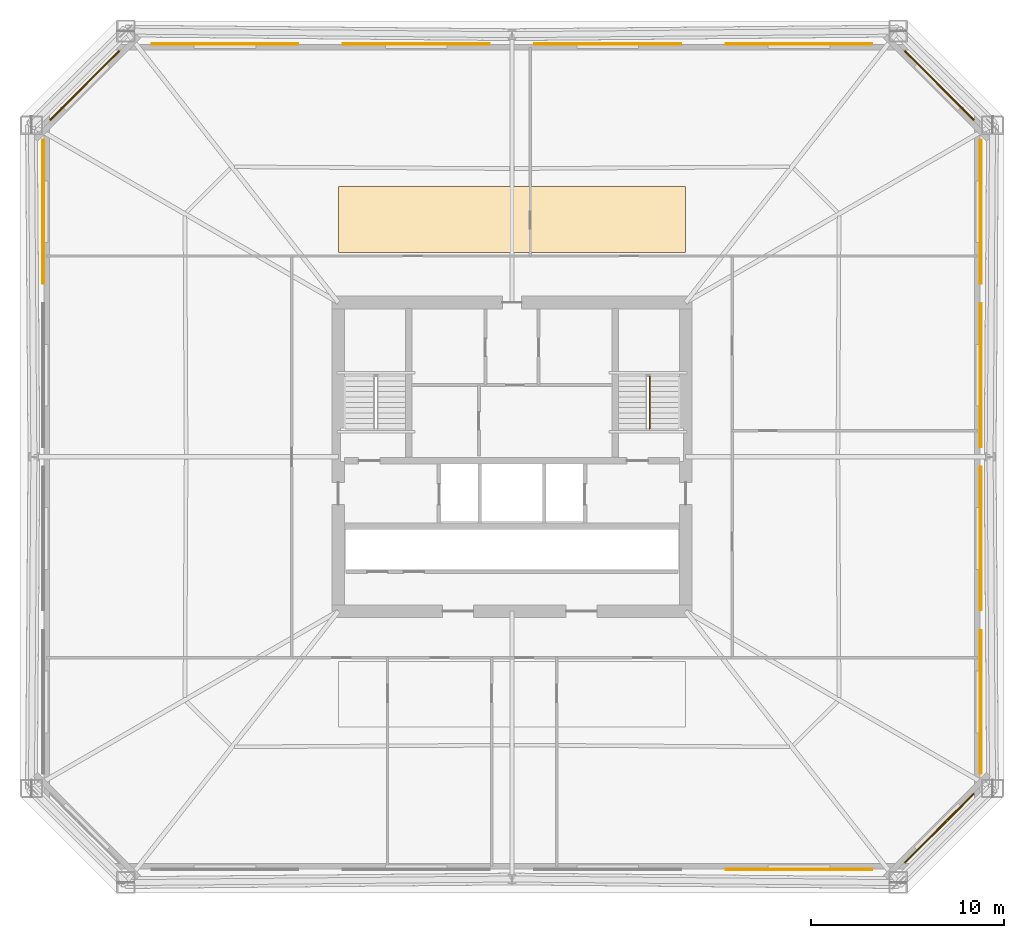
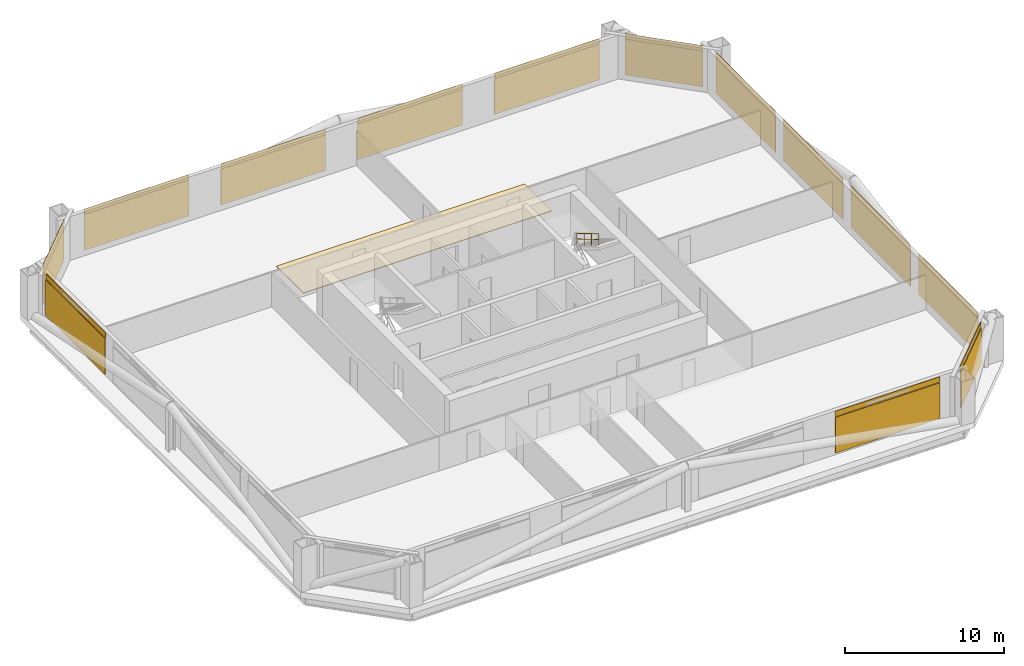
# One storey, part 8 of 8: 14 coverings, 13 shading devices, 1 railing.
"""IFC4 building model written with IfcOpenShell, lengths in metres."""

from ifc_helpers import new_model, si_unit, direction, frame, origin, origin_2d, place, context, subcontext, project, spatial, polyline, rectangle, circle, outline, extrude, material, layer, layer_set, type_object, element, save


model = new_model("IFC4")

# Units and contexts
model_context = context("Model", 3, precision=1e-05, world=origin(), true_north=direction((0.0, 1.0)))
body_context = subcontext(model_context, "Body", "Model", "MODEL_VIEW")
ifc_project = project(units=[si_unit("LENGTHUNIT", "METRE"), si_unit("AREAUNIT", "SQUARE_METRE"), si_unit("VOLUMEUNIT", "CUBIC_METRE"), si_unit("PLANEANGLEUNIT", "RADIAN"), si_unit("MASSUNIT", "GRAM", prefix="KILO")], contexts=[model_context])

# Site, building, storey
site_placement = place(None, origin())
site = spatial("IfcSite", under=ifc_project, at=site_placement, CompositionType="ELEMENT")
building_placement = place(site_placement, origin())
building = spatial("IfcBuilding", under=site, at=building_placement, Name="Caelvoria Tower", CompositionType="ELEMENT")
storey_placement = place(building_placement, frame((0.0, 0.0, 49.60009765625)))
storey = spatial("IfcBuildingStorey", under=building, at=storey_placement, Name="L12", CompositionType="ELEMENT", Elevation=49.60009765625)

# Coverings
ifc_material_1 = material(Name="Perforated Architectural Bronze Cladding Screen", Category="bronze")
ifc_layer_1 = layer(ifc_material_1, 0.0400390625, Name="Perforated Architectural Bronze Cladding Screen")
ifc_layer_set_1 = layer_set([ifc_layer_1], Name="Perforated Bronze Louvre Cladding Band 40 - Perforated Architectural Bronze Cladding Screen")
covering_type_1 = type_object("IfcCoveringType", Name="Perforated Bronze Louvre Cladding Band 40", PredefinedType="CLADDING", material=ifc_layer_set_1)
covering_1_placement = place(storey_placement, frame((60.8798828125, 10.6279296875, 2.93994140625), z_axis=(0.0, 0.0, 1.0), x_axis=(1.0, 0.0, 0.0)))
element("IfcCovering", 1, at=covering_1_placement, inside=storey, type_object=covering_type_1, Name="Perforated Bronze Screen Band L12-E0-03", PredefinedType="CLADDING", context=body_context, shape_type="SweptSolid", body=[
    extrude(rectangle(XDim=7.60009765625, YDim=0.0400390625, at=origin_2d()), origin(), (0.0, 0.0, 1.0), 0.39990234375),
])
covering_2_placement = place(storey_placement, frame((68.131591796875, 12.768310546875, 2.93994140625), z_axis=(0.0, 0.0, 1.0), x_axis=(0.707106781187, 0.707106781187, 0.0)))
element("IfcCovering", 2, at=covering_2_placement, inside=storey, type_object=covering_type_1, Name="Perforated Bronze Screen Band L12-E1-00", PredefinedType="CLADDING", context=body_context, shape_type="SweptSolid", body=[
    extrude(rectangle(XDim=5.060791015625, YDim=0.0400390625, at=origin_2d()), origin(), (0.0, 0.0, 1.0), 0.39990234375),
])
for number, where, z_axis, x_axis, name in (
    (3, (70.27197265625, 19.294921875, 2.93994140625), (0.0, 0.0, 1.0), (0.0, 1.0, 0.0), "Perforated Bronze Screen Band L12-E2-00"),
    (4, (70.27197265625, 27.764892578125, 2.93994140625), (0.0, 0.0, 1.0), (0.0, 1.0, 0.0), "Perforated Bronze Screen Band L12-E2-01"),
    (5, (70.27197265625, 36.235107421875, 2.93994140625), (0.0, 0.0, 1.0), (0.0, 1.0, 0.0), "Perforated Bronze Screen Band L12-E2-02"),
    (6, (70.27197265625, 44.705078125, 2.93994140625), (0.0, 0.0, 1.0), (0.0, 1.0, 0.0), "Perforated Bronze Screen Band L12-E2-03"),
):
    element("IfcCovering", number, at=place(storey_placement, frame(where, z_axis=z_axis, x_axis=x_axis)), inside=storey, type_object=covering_type_1, Name=name, PredefinedType="CLADDING", context=body_context, shape_type="SweptSolid", body=[
        extrude(rectangle(XDim=7.45361328125, YDim=0.0400390625, at=origin_2d()), origin(), (0.0, 0.0, 1.0), 0.39990234375),
    ])
covering_3_placement = place(storey_placement, frame((68.131591796875, 51.231689453125, 2.93994140625), z_axis=(0.0, 0.0, 1.0), x_axis=(-0.707106781187, 0.707106781187, 0.0)))
element("IfcCovering", 7, at=covering_3_placement, inside=storey, type_object=covering_type_1, Name="Perforated Bronze Screen Band L12-E3-00", PredefinedType="CLADDING", context=body_context, shape_type="SweptSolid", body=[
    extrude(rectangle(XDim=5.060791015625, YDim=0.0400390625, at=origin_2d()), origin(), (0.0, 0.0, 1.0), 0.39990234375),
])
for number, where, z_axis, x_axis, name in (
    (8, (60.8798828125, 53.3720703125, 2.93994140625), (0.0, 0.0, 1.0), (-1.0, 0.0, 0.0), "Perforated Bronze Screen Band L12-E4-00"),
    (9, (50.9599609375, 53.3720703125, 2.93994140625), (0.0, 0.0, 1.0), (-1.0, 0.0, 0.0), "Perforated Bronze Screen Band L12-E4-01"),
    (10, (41.0400390625, 53.3720703125, 2.93994140625), (0.0, 0.0, 1.0), (-1.0, 0.0, 0.0), "Perforated Bronze Screen Band L12-E4-02"),
    (11, (31.1201171875, 53.3720703125, 2.93994140625), (0.0, 0.0, 1.0), (-1.0, 0.0, 0.0), "Perforated Bronze Screen Band L12-E4-03"),
):
    element("IfcCovering", number, at=place(storey_placement, frame(where, z_axis=z_axis, x_axis=x_axis)), inside=storey, type_object=covering_type_1, Name=name, PredefinedType="CLADDING", context=body_context, shape_type="SweptSolid", body=[
        extrude(rectangle(XDim=7.60009765625, YDim=0.0400390625, at=origin_2d()), origin(), (0.0, 0.0, 1.0), 0.39990234375),
    ])
covering_4_placement = place(storey_placement, frame((23.868408203125, 51.231689453125, 2.93994140625), z_axis=(0.0, 0.0, 1.0), x_axis=(-0.707106781187, -0.707106781187, 0.0)))
element("IfcCovering", 12, at=covering_4_placement, inside=storey, type_object=covering_type_1, Name="Perforated Bronze Screen Band L12-E5-00", PredefinedType="CLADDING", context=body_context, shape_type="SweptSolid", body=[
    extrude(rectangle(XDim=5.060791015625, YDim=0.0400390625, at=origin_2d()), origin(), (0.0, 0.0, 1.0), 0.39990234375),
])
covering_5_placement = place(storey_placement, frame((21.72802734375, 44.705078125, 2.93994140625), z_axis=(0.0, 0.0, 1.0), x_axis=(0.0, -1.0, 0.0)))
element("IfcCovering", 13, at=covering_5_placement, inside=storey, type_object=covering_type_1, Name="Perforated Bronze Screen Band L12-E6-00", PredefinedType="CLADDING", context=body_context, shape_type="SweptSolid", body=[
    extrude(rectangle(XDim=7.45361328125, YDim=0.0400390625, at=origin_2d()), origin(), (0.0, 0.0, 1.0), 0.39990234375),
])

# Shading devices
ifc_material_2 = material(Name="Perforated Architectural Bronze Alloy Panel", Category="bronze")
ifc_layer_2 = layer(ifc_material_2, 0.044921875, Name="Perforated Architectural Bronze Alloy Panel")
ifc_layer_set_2 = layer_set([ifc_layer_2], Name="Perforated Bronze Solar Screen Panel SCREEN - Perforated Architectural Bronze Alloy Panel")
shading_device_type = type_object("IfcShadingDeviceType", Name="Perforated Bronze Solar Screen Panel SCREEN", PredefinedType="USERDEFINED", material=ifc_layer_set_2)
shading_device_1_placement = place(storey_placement, frame((60.8798828125, 10.5849609375, 0.159912109375), z_axis=(0.0, 0.0, 1.0), x_axis=(1.0, 0.0, 0.0)))
element("IfcShadingDevice", 14, at=shading_device_1_placement, inside=storey, type_object=shading_device_type, Name="Perforated Bronze Solar Screen L12-E0-03", ObjectType="SCREEN", PredefinedType="USERDEFINED", context=body_context, shape_type="SweptSolid", body=[
    extrude(rectangle(XDim=7.60009765625, YDim=0.044921875, at=origin_2d()), origin(), (0.0, 0.0, 1.0), 2.75),
])
shading_device_2_placement = place(storey_placement, frame((68.162109375, 12.73779296875, 0.159912109375), z_axis=(0.0, 0.0, 1.0), x_axis=(0.707106781187, 0.707106781187, 0.0)))
element("IfcShadingDevice", 15, at=shading_device_2_placement, inside=storey, type_object=shading_device_type, Name="Perforated Bronze Solar Screen L12-E1-00", ObjectType="SCREEN", PredefinedType="USERDEFINED", context=body_context, shape_type="SweptSolid", body=[
    extrude(rectangle(XDim=5.060791015625, YDim=0.044921875, at=origin_2d()), origin(), (0.0, 0.0, 1.0), 2.75),
])
for number, where, z_axis, x_axis, name in (
    (16, (70.31494140625, 19.294921875, 0.159912109375), (0.0, 0.0, 1.0), (0.0, 1.0, 0.0), "Perforated Bronze Solar Screen L12-E2-00"),
    (17, (70.31494140625, 27.764892578125, 0.159912109375), (0.0, 0.0, 1.0), (0.0, 1.0, 0.0), "Perforated Bronze Solar Screen L12-E2-01"),
    (18, (70.31494140625, 36.235107421875, 0.159912109375), (0.0, 0.0, 1.0), (0.0, 1.0, 0.0), "Perforated Bronze Solar Screen L12-E2-02"),
    (19, (70.31494140625, 44.705078125, 0.159912109375), (0.0, 0.0, 1.0), (0.0, 1.0, 0.0), "Perforated Bronze Solar Screen L12-E2-03"),
):
    element("IfcShadingDevice", number, at=place(storey_placement, frame(where, z_axis=z_axis, x_axis=x_axis)), inside=storey, type_object=shading_device_type, Name=name, ObjectType="SCREEN", PredefinedType="USERDEFINED", context=body_context, shape_type="SweptSolid", body=[
        extrude(rectangle(XDim=7.45361328125, YDim=0.044921875, at=origin_2d()), origin(), (0.0, 0.0, 1.0), 2.75),
    ])
shading_device_3_placement = place(storey_placement, frame((68.162109375, 51.26220703125, 0.159912109375), z_axis=(0.0, 0.0, 1.0), x_axis=(-0.707106781187, 0.707106781187, 0.0)))
element("IfcShadingDevice", 20, at=shading_device_3_placement, inside=storey, type_object=shading_device_type, Name="Perforated Bronze Solar Screen L12-E3-00", ObjectType="SCREEN", PredefinedType="USERDEFINED", context=body_context, shape_type="SweptSolid", body=[
    extrude(rectangle(XDim=5.060791015625, YDim=0.044921875, at=origin_2d()), origin(), (0.0, 0.0, 1.0), 2.75),
])
for number, where, z_axis, x_axis, name in (
    (21, (60.8798828125, 53.4150390625, 0.159912109375), (0.0, 0.0, 1.0), (-1.0, 0.0, 0.0), "Perforated Bronze Solar Screen L12-E4-00"),
    (22, (50.9599609375, 53.4150390625, 0.159912109375), (0.0, 0.0, 1.0), (-1.0, 0.0, 0.0), "Perforated Bronze Solar Screen L12-E4-01"),
    (23, (41.0400390625, 53.4150390625, 0.159912109375), (0.0, 0.0, 1.0), (-1.0, 0.0, 0.0), "Perforated Bronze Solar Screen L12-E4-02"),
    (24, (31.1201171875, 53.4150390625, 0.159912109375), (0.0, 0.0, 1.0), (-1.0, 0.0, 0.0), "Perforated Bronze Solar Screen L12-E4-03"),
):
    element("IfcShadingDevice", number, at=place(storey_placement, frame(where, z_axis=z_axis, x_axis=x_axis)), inside=storey, type_object=shading_device_type, Name=name, ObjectType="SCREEN", PredefinedType="USERDEFINED", context=body_context, shape_type="SweptSolid", body=[
        extrude(rectangle(XDim=7.60009765625, YDim=0.044921875, at=origin_2d()), origin(), (0.0, 0.0, 1.0), 2.75),
    ])
shading_device_4_placement = place(storey_placement, frame((23.837890625, 51.26220703125, 0.159912109375), z_axis=(0.0, 0.0, 1.0), x_axis=(-0.707106781187, -0.707106781187, 0.0)))
element("IfcShadingDevice", 25, at=shading_device_4_placement, inside=storey, type_object=shading_device_type, Name="Perforated Bronze Solar Screen L12-E5-00", ObjectType="SCREEN", PredefinedType="USERDEFINED", context=body_context, shape_type="SweptSolid", body=[
    extrude(rectangle(XDim=5.060791015625, YDim=0.044921875, at=origin_2d()), origin(), (0.0, 0.0, 1.0), 2.75),
])
shading_device_5_placement = place(storey_placement, frame((21.68505859375, 44.705078125, 0.159912109375), z_axis=(0.0, 0.0, 1.0), x_axis=(0.0, -1.0, 0.0)))
element("IfcShadingDevice", 26, at=shading_device_5_placement, inside=storey, type_object=shading_device_type, Name="Perforated Bronze Solar Screen L12-E6-00", ObjectType="SCREEN", PredefinedType="USERDEFINED", context=body_context, shape_type="SweptSolid", body=[
    extrude(rectangle(XDim=7.45361328125, YDim=0.044921875, at=origin_2d()), origin(), (0.0, 0.0, 1.0), 2.75),
])

# Covering
ifc_material_3 = material(Name="Calcium-Sulphate Raised Floor Tile", Category="gypsum")
ifc_layer_3 = layer(ifc_material_3, 0.06005859375, Name="Calcium-Sulphate Raised Floor Tile")
ifc_layer_set_3 = layer_set([ifc_layer_3], Name="Raised Access Office Floor System 120 - Calcium-Sulphate Raised Floor Tile")
covering_type_2 = type_object("IfcCoveringType", Name="Raised Access Office Floor System 120", PredefinedType="FLOORING", material=ifc_layer_set_3)
covering_6_placement = place(storey_placement, origin())
element("IfcCovering", 27, at=covering_6_placement, inside=storey, type_object=covering_type_2, Name="Raised Access Flooring L12", PredefinedType="FLOORING", context=body_context, shape_type="SweptSolid", body=[
    extrude(outline(polyline([(37.0, 42.60009765625), (55.0, 42.60009765625), (55.0, 46.0), (37.0, 46.0), (37.0, 42.60009765625)])), origin(), (0.0, 0.0, 1.0), 0.059814453125),
])

# Railing
ifc_material_4 = material(Name="Brushed Stainless Steel Tube", Category="steel")
railing_type = type_object("IfcRailingType", Name="Stair Tubular Stainless Handrail 920", PredefinedType="HANDRAIL", material=ifc_material_4)
railing_placement = place(storey_placement, frame((53.1298828125, 36.199951171875, 1.963623046875)))
element("IfcRailing", 28, at=railing_placement, inside=storey, type_object=railing_type, Name="ST-02 Flight 2 Handrail L12", PredefinedType="HANDRAIL", context=body_context, shape_type="SweptSolid", body=[
    extrude(circle(Radius=0.02392578125, at=origin_2d()), frame((0.0, 0.0, 0.89599609375), z_axis=(0.0, -0.859385484447, 0.511328259656), x_axis=(1.0, 0.0, 0.0)), (0.0, 0.0, 1.0), 3.199951171875),
    extrude(circle(Radius=0.02392578125, at=origin_2d()), frame((0.0, 0.0, 0.4599609375), z_axis=(0.0, -0.859385484447, 0.511328259656), x_axis=(1.0, 0.0, 0.0)), (0.0, 0.0, 1.0), 3.199951171875),
    extrude(circle(Radius=0.02099609375, at=origin_2d()), origin(), (0.0, 0.0, 1.0), 0.871826171875),
    extrude(circle(Radius=0.02099609375, at=origin_2d()), frame((0.0, -0.916748046875, 0.54541015625)), (0.0, 0.0, 1.0), 0.871826171875),
    extrude(circle(Radius=0.02099609375, at=origin_2d()), frame((0.0, -1.833251953125, 1.0908203125)), (0.0, 0.0, 1.0), 0.871826171875),
    extrude(circle(Radius=0.02099609375, at=origin_2d()), frame((0.0, -2.75, 1.63623046875)), (0.0, 0.0, 1.0), 0.871826171875),
])

save(model, "model.ifc")
